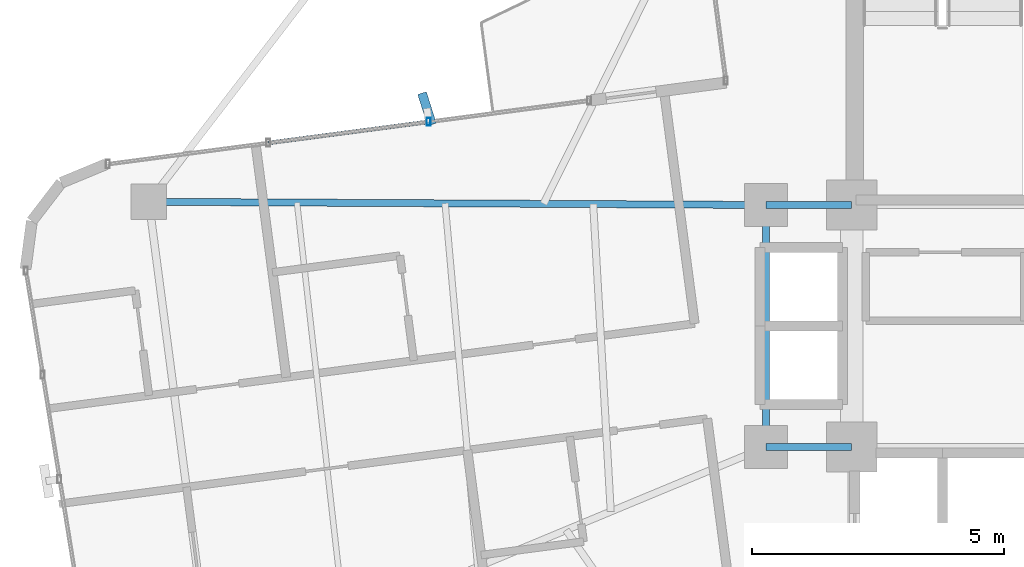
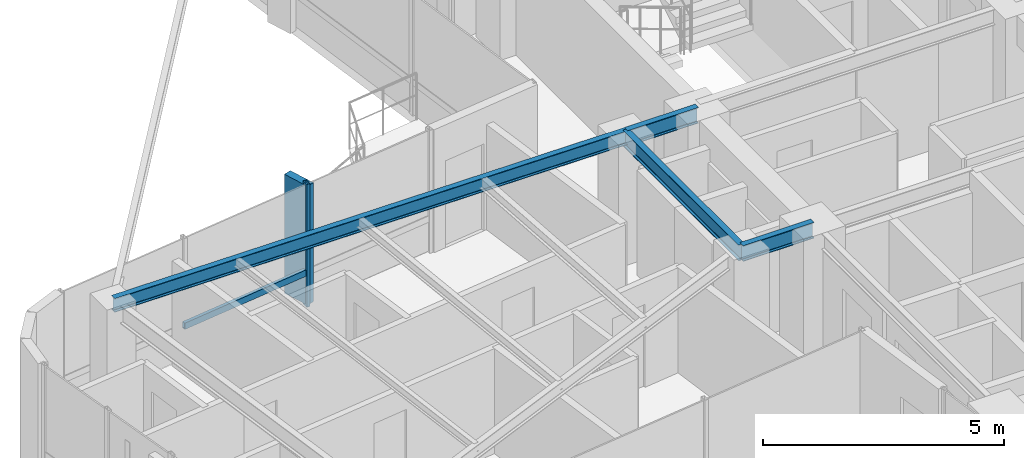
# One storey, part 8 of 23: 4 beams, 3 members, 1 element without a shape of its own.
"""IFC4 building model written with IfcOpenShell, lengths in metres."""

from ifc_helpers import new_model, si_unit, direction, frame, origin, origin_2d, place, context, subcontext, project, spatial, rectangle, hollow_rectangle, i_section, extrude, source, transform, mapped, material, material_profile, profile_set, type_object, element, aggregate, save


model = new_model("IFC4")

# Units and contexts
model_context = context("Model", 3, precision=1e-05, world=origin(), true_north=direction((0.0, 1.0)))
body_context = subcontext(model_context, "Body", "Model", "MODEL_VIEW")
ifc_project = project(units=[si_unit("LENGTHUNIT", "METRE"), si_unit("AREAUNIT", "SQUARE_METRE"), si_unit("VOLUMEUNIT", "CUBIC_METRE"), si_unit("PLANEANGLEUNIT", "RADIAN"), si_unit("MASSUNIT", "GRAM", prefix="KILO")], contexts=[model_context])

# Site, building, storey
site_placement = place(None, origin())
site = spatial("IfcSite", under=ifc_project, at=site_placement, CompositionType="ELEMENT")
building_placement = place(site_placement, origin())
building = spatial("IfcBuilding", under=site, at=building_placement, Name="Sahyath Konkavel Grand Hotel", CompositionType="ELEMENT")
storey_placement = place(building_placement, frame((0.0, 0.0, 251.199951171875)))
storey = spatial("IfcBuildingStorey", under=building, at=storey_placement, Name="L70", CompositionType="ELEMENT", Elevation=251.199951171875)

# Beams
ifc_material_1 = material(Name="Steel E350", Category="steel")
ifc_material_profile_1 = material_profile(ifc_material_1, i_section(OverallWidth=0.139892578125, OverallDepth=0.39990234375, WebThickness=0.0087890625, FlangeThickness=0.01611328125, FilletRadius=0.013916015625, at=origin_2d()), Name="ISMB 400")
ifc_profile_set_1 = profile_set([ifc_material_profile_1], Name="Steel E350")
beam_type_1 = type_object("IfcBeamType", Name="BM-ISMB400", PredefinedType="BEAM", material=ifc_profile_set_1)
shared_shape_1 = source(origin(), body_context, "Body", "SweptSolid", [
    extrude(i_section(OverallWidth=0.139892578125, OverallDepth=0.39990234375, WebThickness=0.0087890625, FlangeThickness=0.01611328125, FilletRadius=0.013916015625, at=origin_2d()), origin(), (0.0, 0.0, 1.0), 1.699951171875),
])
for number, where, z_axis, x_axis, name in (
    (1, (-5.5, 2.39990234375, 2.91015625), (1.0, 0.0, 0.0), (0.0, 1.0, 0.0), "str:bm:L70:HB-NW"),
    (2, (-5.5, -2.39990234375, 2.91015625), (1.0, 0.0, 0.0), (0.0, 1.0, 0.0), "str:bm:L70:HB-SW"),
):
    element("IfcBeam", number, at=place(storey_placement, frame(where, z_axis=z_axis, x_axis=x_axis)), inside=storey, type_object=beam_type_1, Name=name, PredefinedType="BEAM", context=body_context, shape_type="MappedRepresentation", body=[
        mapped(shared_shape_1, transform((0.0, 0.0, 0.0), scale=1.0)),
    ])
shared_shape_2 = source(origin(), body_context, "Body", "SweptSolid", [
    extrude(i_section(OverallWidth=0.139892578125, OverallDepth=0.39990234375, WebThickness=0.0087890625, FlangeThickness=0.01611328125, FilletRadius=0.013916015625, at=origin_2d()), origin(), (0.0, 0.0, 1.0), 4.7998046875),
])
beam_1_placement = place(storey_placement, frame((-5.5, -2.39990234375, 2.91015625), z_axis=(0.0, 1.0, 0.0), x_axis=(-1.0, 0.0, 0.0)))
element("IfcBeam", 3, at=beam_1_placement, inside=storey, type_object=beam_type_1, Name="str:bm:L70:HB-W", PredefinedType="BEAM", context=body_context, shape_type="MappedRepresentation", body=[
    mapped(shared_shape_2, transform((0.0, 0.0, 0.0), scale=1.0)),
])
ifc_material_profile_2 = material_profile(ifc_material_1, i_section(OverallWidth=0.139892578125, OverallDepth=0.35009765625, WebThickness=0.008056640625, FlangeThickness=0.01416015625, FilletRadius=0.013916015625, at=origin_2d()), Name="ISMB 350")
ifc_profile_set_2 = profile_set([ifc_material_profile_2], Name="Steel E350")
beam_type_2 = type_object("IfcBeamType", Name="BM-ISMB350", PredefinedType="BEAM", material=ifc_profile_set_2)
shared_shape_3 = source(origin(), body_context, "Body", "SweptSolid", [
    extrude(i_section(OverallWidth=0.139892578125, OverallDepth=0.35009765625, WebThickness=0.008056640625, FlangeThickness=0.01416015625, FilletRadius=0.013916015625, at=origin_2d()), origin(), (0.0, 0.0, 1.0), 12.240478515625),
])
beam_2_placement = place(storey_placement, frame((-5.5, 2.39990234375, 2.93505859375), z_axis=(-0.999986553521, 0.005185824635, 0.0), x_axis=(-0.005185824635, -0.999986553521, 0.0)))
element("IfcBeam", 4, at=beam_2_placement, inside=storey, type_object=beam_type_2, Name="L70 Cruciform Radial Girder WA", PredefinedType="BEAM", context=body_context, shape_type="MappedRepresentation", body=[
    mapped(shared_shape_3, transform((0.0, 0.0, 0.0), scale=1.0)),
])

# Curtain wall, members
ifc_material_2 = material(Name="Anodised Bronze Aluminium & Low-E Glazing", Category="aluminium")
curtain_wall_type = type_object("IfcCurtainWallType", Name="CW-ZONE4", PredefinedType="NOTDEFINED", material=ifc_material_2)
curtain_wall_placement = place(storey_placement, origin())
curtain_wall = element("IfcCurtainWall", 5, at=curtain_wall_placement, inside=storey, type_object=curtain_wall_type, Name="L70 Unitised Curtain Wall F16", PredefinedType="NOTDEFINED")
ifc_material_3 = material(Name="Warm Buff Sandstone Cladding on Concrete C50/60", Category="masonry")
ifc_material_profile_3 = material_profile(ifc_material_3, rectangle(XDim=0.179931640625, YDim=0.64990234375, at=origin_2d()), Name="FIN 180x650")
ifc_profile_set_3 = profile_set([ifc_material_profile_3], Name="Warm Buff Sandstone Cladding on Concrete C50/60")
member_type_1 = type_object("IfcMemberType", Name="FIN-SANDSTONE-650", PredefinedType="MULLION", material=ifc_profile_set_3)
shared_shape_4 = source(origin(), body_context, "Body", "SweptSolid", [
    extrude(rectangle(XDim=0.179931640625, YDim=0.64990234375, at=origin_2d()), origin(), (0.0, 0.0, 1.0), 3.010009765625),
])
member_1_placement = place(storey_placement, frame((-12.224609375, 4.30908203125, 0.050048828125), z_axis=(0.0, 0.0, 1.0), x_axis=(0.953716950748, 0.300705799504, 0.0)))
member_1 = element("IfcMember", 6, at=member_1_placement, type_object=member_type_1, Name="L70 Sandstone Vertical Solar Fin FIN F16-1", PredefinedType="MULLION", context=body_context, shape_type="MappedRepresentation", body=[
    mapped(shared_shape_4, transform((0.0, 0.0, 0.0), scale=1.0)),
])
ifc_material_4 = material(Name="Anodised Bronze Aluminium", Category="aluminium")
ifc_material_profile_4 = material_profile(ifc_material_4, hollow_rectangle(XDim=0.080078125, YDim=0.159912109375, WallThickness=0.006103515625, at=origin_2d()), Name="RHS 160x80x6")
ifc_profile_set_4 = profile_set([ifc_material_profile_4], Name="Anodised Bronze Aluminium")
member_type_2 = type_object("IfcMemberType", Name="CW-MUL-160", PredefinedType="MULLION", material=ifc_profile_set_4)
shared_shape_5 = source(origin(), body_context, "Body", "SweptSolid", [
    extrude(hollow_rectangle(XDim=0.080078125, YDim=0.159912109375, WallThickness=0.006103515625, at=origin_2d()), origin(), (0.0, 0.0, 1.0), 3.110107421875),
])
member_2_placement = place(storey_placement, frame((-12.19091796875, 4.051513671875, 0.0), z_axis=(0.0, 0.0, 1.0), x_axis=(1.0, 0.0, 0.0)))
member_2 = element("IfcMember", 7, at=member_2_placement, type_object=member_type_2, Name="L70 Curtain Wall Mullion F16-1", PredefinedType="MULLION", context=body_context, shape_type="MappedRepresentation", body=[
    mapped(shared_shape_5, transform((0.0, 0.0, 0.0), scale=1.0)),
])
ifc_material_profile_5 = material_profile(ifc_material_4, hollow_rectangle(XDim=0.080078125, YDim=0.159912109375, WallThickness=0.006103515625, at=origin_2d()), Name="RHS 160x80x6")
ifc_profile_set_5 = profile_set([ifc_material_profile_5], Name="Anodised Bronze Aluminium")
member_type_3 = type_object("IfcMemberType", Name="CW-TRN-160", PredefinedType="USERDEFINED", material=ifc_profile_set_5)
shared_shape_6 = source(origin(), body_context, "Body", "SweptSolid", [
    extrude(hollow_rectangle(XDim=0.080078125, YDim=0.159912109375, WallThickness=0.006103515625, at=origin_2d()), origin(), (0.0, 0.0, 1.0), 3.20947265625),
])
member_3_placement = place(storey_placement, frame((-12.19091796875, 4.051513671875, 0.85009765625), z_axis=(-0.991444454368, -0.130529283696, 0.0), x_axis=(0.130529283696, -0.991444454368, 0.0)))
member_3 = element("IfcMember", 8, at=member_3_placement, type_object=member_type_3, Name="L70 Curtain Wall Transom F16-1-spandrel", ObjectType="TRANSOM", PredefinedType="USERDEFINED", context=body_context, shape_type="MappedRepresentation", body=[
    mapped(shared_shape_6, transform((0.0, 0.0, 0.0), scale=1.0)),
])
aggregate(curtain_wall, [member_2, member_1, member_3])

save(model, "model.ifc")
